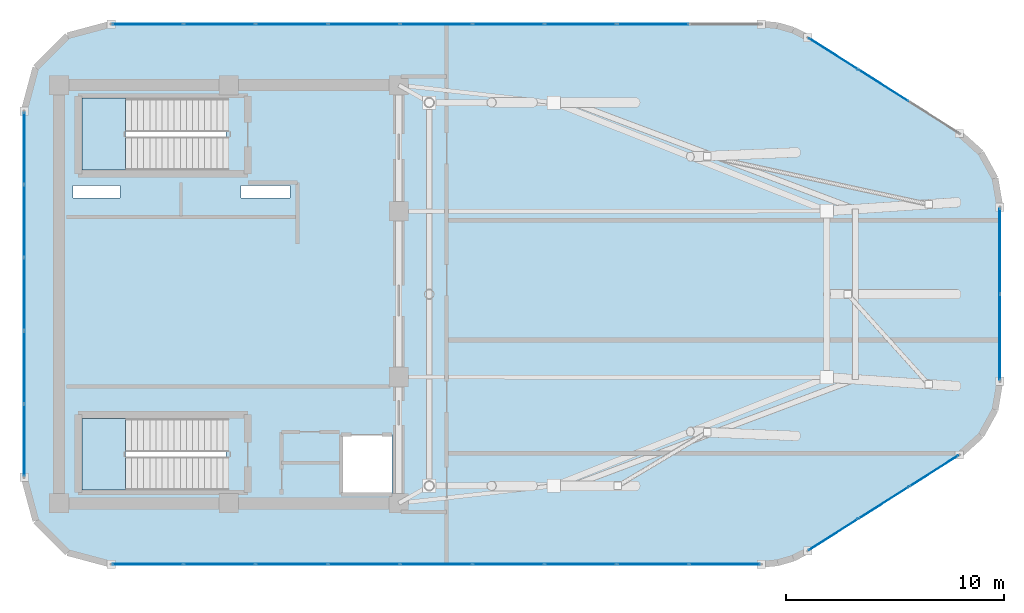
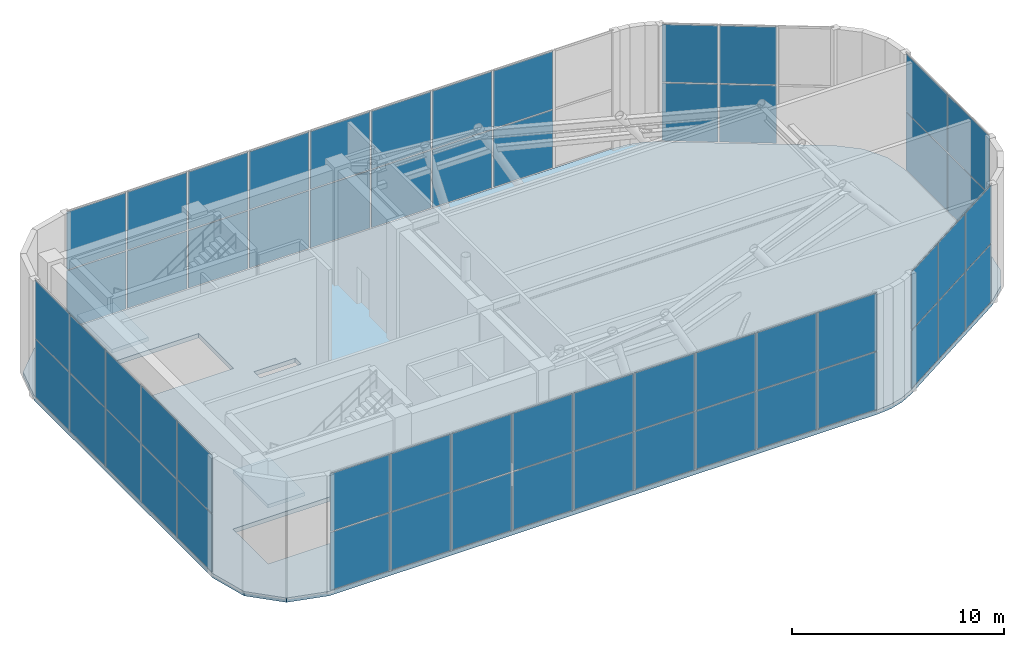
# One storey, part 21 of 24: 58 plates, 3 slabs, 8 elements without a shape of their own.
"""IFC4 building model written with IfcOpenShell, lengths in metres."""

from ifc_helpers import new_model, si_unit, direction, frame, origin, origin_2d, place, context, subcontext, project, spatial, polyline, rectangle, outline, extrude, material, layer, layer_set, type_object, element, aggregate, save


model = new_model("IFC4")

# Units and contexts
model_context = context("Model", 3, precision=1e-05, world=origin(), true_north=direction((0.0, 1.0)))
body_context = subcontext(model_context, "Body", "Model", "MODEL_VIEW")
ifc_project = project(units=[si_unit("LENGTHUNIT", "METRE"), si_unit("AREAUNIT", "SQUARE_METRE"), si_unit("VOLUMEUNIT", "CUBIC_METRE"), si_unit("PLANEANGLEUNIT", "RADIAN"), si_unit("MASSUNIT", "GRAM", prefix="KILO")], contexts=[model_context])

# Site, building, storey
site_placement = place(None, origin())
site = spatial("IfcSite", under=ifc_project, at=site_placement, CompositionType="ELEMENT")
building_placement = place(site_placement, origin())
building = spatial("IfcBuilding", under=site, at=building_placement, Name="An Khanh Terracotta Commons", CompositionType="ELEMENT")
storey_placement = place(building_placement, frame((0.0, 0.0, 315.199951171875)))
storey = spatial("IfcBuildingStorey", under=building, at=storey_placement, Name="L80 Crown Cooling Plant", CompositionType="ELEMENT", Elevation=315.199951171875)

# Curtain wall, plates
ifc_material_1 = material(Name="Anodised Aluminium 6063-T6", Category="aluminium")
ifc_layer_1 = layer(ifc_material_1, 0.18994140625, Name="Anodised Aluminium 6063-T6")
ifc_layer_set_1 = layer_set([ifc_layer_1], Name="Anodised Aluminium 6063-T6")
curtain_wall_type = type_object("IfcCurtainWallType", Name="CW-SYS-06", PredefinedType="USERDEFINED", material=ifc_layer_set_1)
curtain_wall_1_placement = place(storey_placement, origin())
curtain_wall_1 = element("IfcCurtainWall", 1, at=curtain_wall_1_placement, inside=storey, type_object=curtain_wall_type, Name="L80 Crown Cooling Plant CW-06 Unitised Curtain Wall CW-L80-04", ObjectType="UNITISED CURTAIN WALL", PredefinedType="USERDEFINED")
ifc_material_2 = material(Name="Faceted Crown Low-Iron Low-E Glazing", Category="glass")
ifc_layer_2 = layer(ifc_material_2, 0.033935546875, Name="Faceted Crown Low-Iron Low-E Glazing")
ifc_layer_set_2 = layer_set([ifc_layer_2], Name="Faceted Crown Low-Iron Low-E Glazing")
plate_type = type_object("IfcPlateType", Name="CWP-CROWN-34", PredefinedType="CURTAIN_PANEL", material=ifc_layer_set_2)
plate_1_placement = place(storey_placement, frame((25.674072265625, 11.60009765625, 0.06005859375), z_axis=(0.0, 0.0, 1.0), x_axis=(1.0, 0.0, 0.0)))
plate_1 = element("IfcPlate", 2, at=plate_1_placement, type_object=plate_type, Name="CW-06 panel 1.1", PredefinedType="CURTAIN_PANEL", context=body_context, shape_type="SweptSolid", body=[
    extrude(rectangle(XDim=3.21826171875, YDim=0.033935546875, at=origin_2d()), origin(), (0.0, 0.0, 1.0), 3.31005859375),
])
plate_2_placement = place(storey_placement, frame((25.674072265625, 11.60009765625, 3.429931640625), z_axis=(0.0, 0.0, 1.0), x_axis=(1.0, 0.0, 0.0)))
plate_2 = element("IfcPlate", 3, at=plate_2_placement, type_object=plate_type, Name="CW-06 panel 1.2", PredefinedType="CURTAIN_PANEL", context=body_context, shape_type="SweptSolid", body=[
    extrude(rectangle(XDim=3.21826171875, YDim=0.033935546875, at=origin_2d()), origin(), (0.0, 0.0, 1.0), 3.31005859375),
])
plate_3_placement = place(storey_placement, frame((28.973388671875, 11.60009765625, 0.06005859375), z_axis=(0.0, 0.0, 1.0), x_axis=(1.0, 0.0, 0.0)))
plate_3 = element("IfcPlate", 4, at=plate_3_placement, type_object=plate_type, Name="CW-06 panel 2.1", PredefinedType="CURTAIN_PANEL", context=body_context, shape_type="SweptSolid", body=[
    extrude(rectangle(XDim=3.250732421875, YDim=0.033935546875, at=origin_2d()), origin(), (0.0, 0.0, 1.0), 3.31005859375),
])
plate_4_placement = place(storey_placement, frame((28.973388671875, 11.60009765625, 3.429931640625), z_axis=(0.0, 0.0, 1.0), x_axis=(1.0, 0.0, 0.0)))
plate_4 = element("IfcPlate", 5, at=plate_4_placement, type_object=plate_type, Name="CW-06 panel 2.2", PredefinedType="CURTAIN_PANEL", context=body_context, shape_type="SweptSolid", body=[
    extrude(rectangle(XDim=3.250732421875, YDim=0.033935546875, at=origin_2d()), origin(), (0.0, 0.0, 1.0), 3.31005859375),
])
plate_5_placement = place(storey_placement, frame((32.2890625, 11.60009765625, 0.06005859375), z_axis=(0.0, 0.0, 1.0), x_axis=(1.0, 0.0, 0.0)))
plate_5 = element("IfcPlate", 6, at=plate_5_placement, type_object=plate_type, Name="CW-06 panel 3.1", PredefinedType="CURTAIN_PANEL", context=body_context, shape_type="SweptSolid", body=[
    extrude(rectangle(XDim=3.250732421875, YDim=0.033935546875, at=origin_2d()), origin(), (0.0, 0.0, 1.0), 3.31005859375),
])
plate_6_placement = place(storey_placement, frame((32.2890625, 11.60009765625, 3.429931640625), z_axis=(0.0, 0.0, 1.0), x_axis=(1.0, 0.0, 0.0)))
plate_6 = element("IfcPlate", 7, at=plate_6_placement, type_object=plate_type, Name="CW-06 panel 3.2", PredefinedType="CURTAIN_PANEL", context=body_context, shape_type="SweptSolid", body=[
    extrude(rectangle(XDim=3.250732421875, YDim=0.033935546875, at=origin_2d()), origin(), (0.0, 0.0, 1.0), 3.31005859375),
])
plate_7_placement = place(storey_placement, frame((35.604736328125, 11.60009765625, 0.06005859375), z_axis=(0.0, 0.0, 1.0), x_axis=(1.0, 0.0, 0.0)))
plate_7 = element("IfcPlate", 8, at=plate_7_placement, type_object=plate_type, Name="CW-06 panel 4.1", PredefinedType="CURTAIN_PANEL", context=body_context, shape_type="SweptSolid", body=[
    extrude(rectangle(XDim=3.250732421875, YDim=0.033935546875, at=origin_2d()), origin(), (0.0, 0.0, 1.0), 3.31005859375),
])
plate_8_placement = place(storey_placement, frame((35.604736328125, 11.60009765625, 3.429931640625), z_axis=(0.0, 0.0, 1.0), x_axis=(1.0, 0.0, 0.0)))
plate_8 = element("IfcPlate", 9, at=plate_8_placement, type_object=plate_type, Name="CW-06 panel 4.2", PredefinedType="CURTAIN_PANEL", context=body_context, shape_type="SweptSolid", body=[
    extrude(rectangle(XDim=3.250732421875, YDim=0.033935546875, at=origin_2d()), origin(), (0.0, 0.0, 1.0), 3.31005859375),
])
plate_9_placement = place(storey_placement, frame((38.92041015625, 11.60009765625, 0.06005859375), z_axis=(0.0, 0.0, 1.0), x_axis=(1.0, 0.0, 0.0)))
plate_9 = element("IfcPlate", 10, at=plate_9_placement, type_object=plate_type, Name="CW-06 panel 5.1", PredefinedType="CURTAIN_PANEL", context=body_context, shape_type="SweptSolid", body=[
    extrude(rectangle(XDim=3.250732421875, YDim=0.033935546875, at=origin_2d()), origin(), (0.0, 0.0, 1.0), 3.31005859375),
])
plate_10_placement = place(storey_placement, frame((38.92041015625, 11.60009765625, 3.429931640625), z_axis=(0.0, 0.0, 1.0), x_axis=(1.0, 0.0, 0.0)))
plate_10 = element("IfcPlate", 11, at=plate_10_placement, type_object=plate_type, Name="CW-06 panel 5.2", PredefinedType="CURTAIN_PANEL", context=body_context, shape_type="SweptSolid", body=[
    extrude(rectangle(XDim=3.250732421875, YDim=0.033935546875, at=origin_2d()), origin(), (0.0, 0.0, 1.0), 3.31005859375),
])
plate_11_placement = place(storey_placement, frame((42.236083984375, 11.60009765625, 0.06005859375), z_axis=(0.0, 0.0, 1.0), x_axis=(1.0, 0.0, 0.0)))
plate_11 = element("IfcPlate", 12, at=plate_11_placement, type_object=plate_type, Name="CW-06 panel 6.1", PredefinedType="CURTAIN_PANEL", context=body_context, shape_type="SweptSolid", body=[
    extrude(rectangle(XDim=3.250732421875, YDim=0.033935546875, at=origin_2d()), origin(), (0.0, 0.0, 1.0), 3.31005859375),
])
plate_12_placement = place(storey_placement, frame((42.236083984375, 11.60009765625, 3.429931640625), z_axis=(0.0, 0.0, 1.0), x_axis=(1.0, 0.0, 0.0)))
plate_12 = element("IfcPlate", 13, at=plate_12_placement, type_object=plate_type, Name="CW-06 panel 6.2", PredefinedType="CURTAIN_PANEL", context=body_context, shape_type="SweptSolid", body=[
    extrude(rectangle(XDim=3.250732421875, YDim=0.033935546875, at=origin_2d()), origin(), (0.0, 0.0, 1.0), 3.31005859375),
])
plate_13_placement = place(storey_placement, frame((45.5517578125, 11.60009765625, 0.06005859375), z_axis=(0.0, 0.0, 1.0), x_axis=(1.0, 0.0, 0.0)))
plate_13 = element("IfcPlate", 14, at=plate_13_placement, type_object=plate_type, Name="CW-06 panel 7.1", PredefinedType="CURTAIN_PANEL", context=body_context, shape_type="SweptSolid", body=[
    extrude(rectangle(XDim=3.250732421875, YDim=0.033935546875, at=origin_2d()), origin(), (0.0, 0.0, 1.0), 3.31005859375),
])
plate_14_placement = place(storey_placement, frame((45.5517578125, 11.60009765625, 3.429931640625), z_axis=(0.0, 0.0, 1.0), x_axis=(1.0, 0.0, 0.0)))
plate_14 = element("IfcPlate", 15, at=plate_14_placement, type_object=plate_type, Name="CW-06 panel 7.2", PredefinedType="CURTAIN_PANEL", context=body_context, shape_type="SweptSolid", body=[
    extrude(rectangle(XDim=3.250732421875, YDim=0.033935546875, at=origin_2d()), origin(), (0.0, 0.0, 1.0), 3.31005859375),
])
plate_15_placement = place(storey_placement, frame((48.867431640625, 11.60009765625, 0.06005859375), z_axis=(0.0, 0.0, 1.0), x_axis=(1.0, 0.0, 0.0)))
plate_15 = element("IfcPlate", 16, at=plate_15_placement, type_object=plate_type, Name="CW-06 panel 8.1", PredefinedType="CURTAIN_PANEL", context=body_context, shape_type="SweptSolid", body=[
    extrude(rectangle(XDim=3.250732421875, YDim=0.033935546875, at=origin_2d()), origin(), (0.0, 0.0, 1.0), 3.31005859375),
])
plate_16_placement = place(storey_placement, frame((48.867431640625, 11.60009765625, 3.429931640625), z_axis=(0.0, 0.0, 1.0), x_axis=(1.0, 0.0, 0.0)))
plate_16 = element("IfcPlate", 17, at=plate_16_placement, type_object=plate_type, Name="CW-06 panel 8.2", PredefinedType="CURTAIN_PANEL", context=body_context, shape_type="SweptSolid", body=[
    extrude(rectangle(XDim=3.250732421875, YDim=0.033935546875, at=origin_2d()), origin(), (0.0, 0.0, 1.0), 3.31005859375),
])
plate_17_placement = place(storey_placement, frame((52.1669921875, 11.60009765625, 0.06005859375), z_axis=(0.0, 0.0, 1.0), x_axis=(1.0, 0.0, 0.0)))
plate_17 = element("IfcPlate", 18, at=plate_17_placement, type_object=plate_type, Name="CW-06 panel 9.1", PredefinedType="CURTAIN_PANEL", context=body_context, shape_type="SweptSolid", body=[
    extrude(rectangle(XDim=3.21826171875, YDim=0.033935546875, at=origin_2d()), origin(), (0.0, 0.0, 1.0), 3.31005859375),
])
plate_18_placement = place(storey_placement, frame((52.1669921875, 11.60009765625, 3.429931640625), z_axis=(0.0, 0.0, 1.0), x_axis=(1.0, 0.0, 0.0)))
plate_18 = element("IfcPlate", 19, at=plate_18_placement, type_object=plate_type, Name="CW-06 panel 9.2", PredefinedType="CURTAIN_PANEL", context=body_context, shape_type="SweptSolid", body=[
    extrude(rectangle(XDim=3.21826171875, YDim=0.033935546875, at=origin_2d()), origin(), (0.0, 0.0, 1.0), 3.31005859375),
])
aggregate(curtain_wall_1, [plate_1, plate_2, plate_3, plate_4, plate_5, plate_6, plate_7, plate_8, plate_9, plate_10, plate_11, plate_12, plate_13, plate_14, plate_15, plate_16, plate_17, plate_18])

curtain_wall_2_placement = place(storey_placement, origin())
curtain_wall_2 = element("IfcCurtainWall", 20, at=curtain_wall_2_placement, inside=storey, type_object=curtain_wall_type, Name="L80 Crown Cooling Plant CW-06 Unitised Curtain Wall CW-L80-08", ObjectType="UNITISED CURTAIN WALL", PredefinedType="USERDEFINED")
plate_19_placement = place(storey_placement, frame((57.153564453125, 12.96240234375, 0.06005859375), z_axis=(0.0, 0.0, 1.0), x_axis=(0.845113547412, 0.53458684232, 0.0)))
plate_19 = element("IfcPlate", 21, at=plate_19_placement, type_object=plate_type, Name="CW-06 panel 1.1", PredefinedType="CURTAIN_PANEL", context=body_context, shape_type="SweptSolid", body=[
    extrude(rectangle(XDim=2.647216796875, YDim=0.033935546875, at=origin_2d()), origin(), (0.0, 0.0, 1.0), 3.31005859375),
])
plate_20_placement = place(storey_placement, frame((57.153564453125, 12.96240234375, 3.429931640625), z_axis=(0.0, 0.0, 1.0), x_axis=(0.845113547412, 0.53458684232, 0.0)))
plate_20 = element("IfcPlate", 22, at=plate_20_placement, type_object=plate_type, Name="CW-06 panel 1.2", PredefinedType="CURTAIN_PANEL", context=body_context, shape_type="SweptSolid", body=[
    extrude(rectangle(XDim=2.647216796875, YDim=0.033935546875, at=origin_2d()), origin(), (0.0, 0.0, 1.0), 3.31005859375),
])
plate_21_placement = place(storey_placement, frame((59.45947265625, 14.4208984375, 0.06005859375), z_axis=(0.0, 0.0, 1.0), x_axis=(0.845113547412, 0.53458684232, 0.0)))
plate_21 = element("IfcPlate", 23, at=plate_21_placement, type_object=plate_type, Name="CW-06 panel 2.1", PredefinedType="CURTAIN_PANEL", context=body_context, shape_type="SweptSolid", body=[
    extrude(rectangle(XDim=2.6796875, YDim=0.033935546875, at=origin_2d()), origin(), (0.0, 0.0, 1.0), 3.31005859375),
])
plate_22_placement = place(storey_placement, frame((59.45947265625, 14.4208984375, 3.429931640625), z_axis=(0.0, 0.0, 1.0), x_axis=(0.845113547412, 0.53458684232, 0.0)))
plate_22 = element("IfcPlate", 24, at=plate_22_placement, type_object=plate_type, Name="CW-06 panel 2.2", PredefinedType="CURTAIN_PANEL", context=body_context, shape_type="SweptSolid", body=[
    extrude(rectangle(XDim=2.6796875, YDim=0.033935546875, at=origin_2d()), origin(), (0.0, 0.0, 1.0), 3.31005859375),
])
plate_23_placement = place(storey_placement, frame((61.765380859375, 15.879638671875, 0.06005859375), z_axis=(0.0, 0.0, 1.0), x_axis=(0.845113547412, 0.53458684232, 0.0)))
plate_23 = element("IfcPlate", 25, at=plate_23_placement, type_object=plate_type, Name="CW-06 panel 3.1", PredefinedType="CURTAIN_PANEL", context=body_context, shape_type="SweptSolid", body=[
    extrude(rectangle(XDim=2.647216796875, YDim=0.033935546875, at=origin_2d()), origin(), (0.0, 0.0, 1.0), 3.31005859375),
])
plate_24_placement = place(storey_placement, frame((61.765380859375, 15.879638671875, 3.429931640625), z_axis=(0.0, 0.0, 1.0), x_axis=(0.845113547412, 0.53458684232, 0.0)))
plate_24 = element("IfcPlate", 26, at=plate_24_placement, type_object=plate_type, Name="CW-06 panel 3.2", PredefinedType="CURTAIN_PANEL", context=body_context, shape_type="SweptSolid", body=[
    extrude(rectangle(XDim=2.647216796875, YDim=0.033935546875, at=origin_2d()), origin(), (0.0, 0.0, 1.0), 3.31005859375),
])
aggregate(curtain_wall_2, [plate_19, plate_20, plate_21, plate_22, plate_23, plate_24])

curtain_wall_3_placement = place(storey_placement, origin())
curtain_wall_3 = element("IfcCurtainWall", 27, at=curtain_wall_3_placement, inside=storey, type_object=curtain_wall_type, Name="L80 Crown Cooling Plant CW-06 Unitised Curtain Wall CW-L80-12", ObjectType="UNITISED CURTAIN WALL", PredefinedType="USERDEFINED")
plate_25_placement = place(storey_placement, frame((64.800048828125, 22.017822265625, 0.06005859375), z_axis=(0.0, 0.0, 1.0), x_axis=(0.0, 1.0, 0.0)))
plate_25 = element("IfcPlate", 28, at=plate_25_placement, type_object=plate_type, Name="CW-06 panel 1.1", PredefinedType="CURTAIN_PANEL", context=body_context, shape_type="SweptSolid", body=[
    extrude(rectangle(XDim=3.8994140625, YDim=0.033935546875, at=origin_2d()), origin(), (0.0, 0.0, 1.0), 3.31005859375),
])
plate_26_placement = place(storey_placement, frame((64.800048828125, 22.017822265625, 3.429931640625), z_axis=(0.0, 0.0, 1.0), x_axis=(0.0, 1.0, 0.0)))
plate_26 = element("IfcPlate", 29, at=plate_26_placement, type_object=plate_type, Name="CW-06 panel 1.2", PredefinedType="CURTAIN_PANEL", context=body_context, shape_type="SweptSolid", body=[
    extrude(rectangle(XDim=3.8994140625, YDim=0.033935546875, at=origin_2d()), origin(), (0.0, 0.0, 1.0), 3.31005859375),
])
plate_27_placement = place(storey_placement, frame((64.800048828125, 25.982177734375, 0.06005859375), z_axis=(0.0, 0.0, 1.0), x_axis=(0.0, 1.0, 0.0)))
plate_27 = element("IfcPlate", 30, at=plate_27_placement, type_object=plate_type, Name="CW-06 panel 2.1", PredefinedType="CURTAIN_PANEL", context=body_context, shape_type="SweptSolid", body=[
    extrude(rectangle(XDim=3.8994140625, YDim=0.033935546875, at=origin_2d()), origin(), (0.0, 0.0, 1.0), 3.31005859375),
])
plate_28_placement = place(storey_placement, frame((64.800048828125, 25.982177734375, 3.429931640625), z_axis=(0.0, 0.0, 1.0), x_axis=(0.0, 1.0, 0.0)))
plate_28 = element("IfcPlate", 31, at=plate_28_placement, type_object=plate_type, Name="CW-06 panel 2.2", PredefinedType="CURTAIN_PANEL", context=body_context, shape_type="SweptSolid", body=[
    extrude(rectangle(XDim=3.8994140625, YDim=0.033935546875, at=origin_2d()), origin(), (0.0, 0.0, 1.0), 3.31005859375),
])
aggregate(curtain_wall_3, [plate_25, plate_26, plate_27, plate_28])

curtain_wall_4_placement = place(storey_placement, origin())
curtain_wall_4 = element("IfcCurtainWall", 32, at=curtain_wall_4_placement, inside=storey, type_object=curtain_wall_type, Name="L80 Crown Cooling Plant CW-06 Unitised Curtain Wall CW-L80-16", ObjectType="UNITISED CURTAIN WALL", PredefinedType="USERDEFINED")
plate_29_placement = place(storey_placement, frame((59.45947265625, 33.5791015625, 0.06005859375), z_axis=(0.0, 0.0, 1.0), x_axis=(-0.845113547412, 0.53458684232, 0.0)))
plate_29 = element("IfcPlate", 33, at=plate_29_placement, type_object=plate_type, Name="CW-06 panel 2.1", PredefinedType="CURTAIN_PANEL", context=body_context, shape_type="SweptSolid", body=[
    extrude(rectangle(XDim=2.6796875, YDim=0.033935546875, at=origin_2d()), origin(), (0.0, 0.0, 1.0), 3.31005859375),
])
plate_30_placement = place(storey_placement, frame((59.45947265625, 33.5791015625, 3.429931640625), z_axis=(0.0, 0.0, 1.0), x_axis=(-0.845113547412, 0.53458684232, 0.0)))
plate_30 = element("IfcPlate", 34, at=plate_30_placement, type_object=plate_type, Name="CW-06 panel 2.2", PredefinedType="CURTAIN_PANEL", context=body_context, shape_type="SweptSolid", body=[
    extrude(rectangle(XDim=2.6796875, YDim=0.033935546875, at=origin_2d()), origin(), (0.0, 0.0, 1.0), 3.31005859375),
])
plate_31_placement = place(storey_placement, frame((57.153564453125, 35.03759765625, 0.06005859375), z_axis=(0.0, 0.0, 1.0), x_axis=(-0.845113547412, 0.53458684232, 0.0)))
plate_31 = element("IfcPlate", 35, at=plate_31_placement, type_object=plate_type, Name="CW-06 panel 3.1", PredefinedType="CURTAIN_PANEL", context=body_context, shape_type="SweptSolid", body=[
    extrude(rectangle(XDim=2.647216796875, YDim=0.033935546875, at=origin_2d()), origin(), (0.0, 0.0, 1.0), 3.31005859375),
])
plate_32_placement = place(storey_placement, frame((57.153564453125, 35.03759765625, 3.429931640625), z_axis=(0.0, 0.0, 1.0), x_axis=(-0.845113547412, 0.53458684232, 0.0)))
plate_32 = element("IfcPlate", 36, at=plate_32_placement, type_object=plate_type, Name="CW-06 panel 3.2", PredefinedType="CURTAIN_PANEL", context=body_context, shape_type="SweptSolid", body=[
    extrude(rectangle(XDim=2.647216796875, YDim=0.033935546875, at=origin_2d()), origin(), (0.0, 0.0, 1.0), 3.31005859375),
])
aggregate(curtain_wall_4, [plate_29, plate_30, plate_31, plate_32])

curtain_wall_5_placement = place(storey_placement, origin())
curtain_wall_5 = element("IfcCurtainWall", 37, at=curtain_wall_5_placement, inside=storey, type_object=curtain_wall_type, Name="L80 Crown Cooling Plant CW-06 Unitised Curtain Wall CW-L80-20", ObjectType="UNITISED CURTAIN WALL", PredefinedType="USERDEFINED")
plate_33_placement = place(storey_placement, frame((48.867431640625, 36.39990234375, 0.06005859375), z_axis=(0.0, 0.0, 1.0), x_axis=(-1.0, 0.0, 0.0)))
plate_33 = element("IfcPlate", 38, at=plate_33_placement, type_object=plate_type, Name="CW-06 panel 2.1", PredefinedType="CURTAIN_PANEL", context=body_context, shape_type="SweptSolid", body=[
    extrude(rectangle(XDim=3.250732421875, YDim=0.033935546875, at=origin_2d()), origin(), (0.0, 0.0, 1.0), 3.31005859375),
])
plate_34_placement = place(storey_placement, frame((48.867431640625, 36.39990234375, 3.429931640625), z_axis=(0.0, 0.0, 1.0), x_axis=(-1.0, 0.0, 0.0)))
plate_34 = element("IfcPlate", 39, at=plate_34_placement, type_object=plate_type, Name="CW-06 panel 2.2", PredefinedType="CURTAIN_PANEL", context=body_context, shape_type="SweptSolid", body=[
    extrude(rectangle(XDim=3.250732421875, YDim=0.033935546875, at=origin_2d()), origin(), (0.0, 0.0, 1.0), 3.31005859375),
])
plate_35_placement = place(storey_placement, frame((45.5517578125, 36.39990234375, 0.06005859375), z_axis=(0.0, 0.0, 1.0), x_axis=(-1.0, 0.0, 0.0)))
plate_35 = element("IfcPlate", 40, at=plate_35_placement, type_object=plate_type, Name="CW-06 panel 3.1", PredefinedType="CURTAIN_PANEL", context=body_context, shape_type="SweptSolid", body=[
    extrude(rectangle(XDim=3.250732421875, YDim=0.033935546875, at=origin_2d()), origin(), (0.0, 0.0, 1.0), 3.31005859375),
])
plate_36_placement = place(storey_placement, frame((45.5517578125, 36.39990234375, 3.429931640625), z_axis=(0.0, 0.0, 1.0), x_axis=(-1.0, 0.0, 0.0)))
plate_36 = element("IfcPlate", 41, at=plate_36_placement, type_object=plate_type, Name="CW-06 panel 3.2", PredefinedType="CURTAIN_PANEL", context=body_context, shape_type="SweptSolid", body=[
    extrude(rectangle(XDim=3.250732421875, YDim=0.033935546875, at=origin_2d()), origin(), (0.0, 0.0, 1.0), 3.31005859375),
])
plate_37_placement = place(storey_placement, frame((42.236083984375, 36.39990234375, 0.06005859375), z_axis=(0.0, 0.0, 1.0), x_axis=(-1.0, 0.0, 0.0)))
plate_37 = element("IfcPlate", 42, at=plate_37_placement, type_object=plate_type, Name="CW-06 panel 4.1", PredefinedType="CURTAIN_PANEL", context=body_context, shape_type="SweptSolid", body=[
    extrude(rectangle(XDim=3.250732421875, YDim=0.033935546875, at=origin_2d()), origin(), (0.0, 0.0, 1.0), 3.31005859375),
])
plate_38_placement = place(storey_placement, frame((42.236083984375, 36.39990234375, 3.429931640625), z_axis=(0.0, 0.0, 1.0), x_axis=(-1.0, 0.0, 0.0)))
plate_38 = element("IfcPlate", 43, at=plate_38_placement, type_object=plate_type, Name="CW-06 panel 4.2", PredefinedType="CURTAIN_PANEL", context=body_context, shape_type="SweptSolid", body=[
    extrude(rectangle(XDim=3.250732421875, YDim=0.033935546875, at=origin_2d()), origin(), (0.0, 0.0, 1.0), 3.31005859375),
])
plate_39_placement = place(storey_placement, frame((38.92041015625, 36.39990234375, 0.06005859375), z_axis=(0.0, 0.0, 1.0), x_axis=(-1.0, 0.0, 0.0)))
plate_39 = element("IfcPlate", 44, at=plate_39_placement, type_object=plate_type, Name="CW-06 panel 5.1", PredefinedType="CURTAIN_PANEL", context=body_context, shape_type="SweptSolid", body=[
    extrude(rectangle(XDim=3.250732421875, YDim=0.033935546875, at=origin_2d()), origin(), (0.0, 0.0, 1.0), 3.31005859375),
])
plate_40_placement = place(storey_placement, frame((38.92041015625, 36.39990234375, 3.429931640625), z_axis=(0.0, 0.0, 1.0), x_axis=(-1.0, 0.0, 0.0)))
plate_40 = element("IfcPlate", 45, at=plate_40_placement, type_object=plate_type, Name="CW-06 panel 5.2", PredefinedType="CURTAIN_PANEL", context=body_context, shape_type="SweptSolid", body=[
    extrude(rectangle(XDim=3.250732421875, YDim=0.033935546875, at=origin_2d()), origin(), (0.0, 0.0, 1.0), 3.31005859375),
])
plate_41_placement = place(storey_placement, frame((35.604736328125, 36.39990234375, 0.06005859375), z_axis=(0.0, 0.0, 1.0), x_axis=(-1.0, 0.0, 0.0)))
plate_41 = element("IfcPlate", 46, at=plate_41_placement, type_object=plate_type, Name="CW-06 panel 6.1", PredefinedType="CURTAIN_PANEL", context=body_context, shape_type="SweptSolid", body=[
    extrude(rectangle(XDim=3.250732421875, YDim=0.033935546875, at=origin_2d()), origin(), (0.0, 0.0, 1.0), 3.31005859375),
])
plate_42_placement = place(storey_placement, frame((35.604736328125, 36.39990234375, 3.429931640625), z_axis=(0.0, 0.0, 1.0), x_axis=(-1.0, 0.0, 0.0)))
plate_42 = element("IfcPlate", 47, at=plate_42_placement, type_object=plate_type, Name="CW-06 panel 6.2", PredefinedType="CURTAIN_PANEL", context=body_context, shape_type="SweptSolid", body=[
    extrude(rectangle(XDim=3.250732421875, YDim=0.033935546875, at=origin_2d()), origin(), (0.0, 0.0, 1.0), 3.31005859375),
])
plate_43_placement = place(storey_placement, frame((32.2890625, 36.39990234375, 0.06005859375), z_axis=(0.0, 0.0, 1.0), x_axis=(-1.0, 0.0, 0.0)))
plate_43 = element("IfcPlate", 48, at=plate_43_placement, type_object=plate_type, Name="CW-06 panel 7.1", PredefinedType="CURTAIN_PANEL", context=body_context, shape_type="SweptSolid", body=[
    extrude(rectangle(XDim=3.250732421875, YDim=0.033935546875, at=origin_2d()), origin(), (0.0, 0.0, 1.0), 3.31005859375),
])
plate_44_placement = place(storey_placement, frame((32.2890625, 36.39990234375, 3.429931640625), z_axis=(0.0, 0.0, 1.0), x_axis=(-1.0, 0.0, 0.0)))
plate_44 = element("IfcPlate", 49, at=plate_44_placement, type_object=plate_type, Name="CW-06 panel 7.2", PredefinedType="CURTAIN_PANEL", context=body_context, shape_type="SweptSolid", body=[
    extrude(rectangle(XDim=3.250732421875, YDim=0.033935546875, at=origin_2d()), origin(), (0.0, 0.0, 1.0), 3.31005859375),
])
plate_45_placement = place(storey_placement, frame((28.973388671875, 36.39990234375, 0.06005859375), z_axis=(0.0, 0.0, 1.0), x_axis=(-1.0, 0.0, 0.0)))
plate_45 = element("IfcPlate", 50, at=plate_45_placement, type_object=plate_type, Name="CW-06 panel 8.1", PredefinedType="CURTAIN_PANEL", context=body_context, shape_type="SweptSolid", body=[
    extrude(rectangle(XDim=3.250732421875, YDim=0.033935546875, at=origin_2d()), origin(), (0.0, 0.0, 1.0), 3.31005859375),
])
plate_46_placement = place(storey_placement, frame((28.973388671875, 36.39990234375, 3.429931640625), z_axis=(0.0, 0.0, 1.0), x_axis=(-1.0, 0.0, 0.0)))
plate_46 = element("IfcPlate", 51, at=plate_46_placement, type_object=plate_type, Name="CW-06 panel 8.2", PredefinedType="CURTAIN_PANEL", context=body_context, shape_type="SweptSolid", body=[
    extrude(rectangle(XDim=3.250732421875, YDim=0.033935546875, at=origin_2d()), origin(), (0.0, 0.0, 1.0), 3.31005859375),
])
plate_47_placement = place(storey_placement, frame((25.674072265625, 36.39990234375, 0.06005859375), z_axis=(0.0, 0.0, 1.0), x_axis=(-1.0, 0.0, 0.0)))
plate_47 = element("IfcPlate", 52, at=plate_47_placement, type_object=plate_type, Name="CW-06 panel 9.1", PredefinedType="CURTAIN_PANEL", context=body_context, shape_type="SweptSolid", body=[
    extrude(rectangle(XDim=3.21826171875, YDim=0.033935546875, at=origin_2d()), origin(), (0.0, 0.0, 1.0), 3.31005859375),
])
plate_48_placement = place(storey_placement, frame((25.674072265625, 36.39990234375, 3.429931640625), z_axis=(0.0, 0.0, 1.0), x_axis=(-1.0, 0.0, 0.0)))
plate_48 = element("IfcPlate", 53, at=plate_48_placement, type_object=plate_type, Name="CW-06 panel 9.2", PredefinedType="CURTAIN_PANEL", context=body_context, shape_type="SweptSolid", body=[
    extrude(rectangle(XDim=3.21826171875, YDim=0.033935546875, at=origin_2d()), origin(), (0.0, 0.0, 1.0), 3.31005859375),
])
aggregate(curtain_wall_5, [plate_33, plate_34, plate_35, plate_36, plate_37, plate_38, plate_39, plate_40, plate_41, plate_42, plate_43, plate_44, plate_45, plate_46, plate_47, plate_48])

curtain_wall_6_placement = place(storey_placement, origin())
curtain_wall_6 = element("IfcCurtainWall", 54, at=curtain_wall_6_placement, inside=storey, type_object=curtain_wall_type, Name="L80 Crown Cooling Plant CW-06 Unitised Curtain Wall CW-L80-24", ObjectType="UNITISED CURTAIN WALL", PredefinedType="USERDEFINED")
plate_49_placement = place(storey_placement, frame((20.0, 30.703857421875, 0.06005859375), z_axis=(0.0, 0.0, 1.0), x_axis=(0.0, -1.0, 0.0)))
plate_49 = element("IfcPlate", 55, at=plate_49_placement, type_object=plate_type, Name="CW-06 panel 1.1", PredefinedType="CURTAIN_PANEL", context=body_context, shape_type="SweptSolid", body=[
    extrude(rectangle(XDim=3.262451171875, YDim=0.033935546875, at=origin_2d()), origin(), (0.0, 0.0, 1.0), 3.31005859375),
])
plate_50_placement = place(storey_placement, frame((20.0, 30.703857421875, 3.429931640625), z_axis=(0.0, 0.0, 1.0), x_axis=(0.0, -1.0, 0.0)))
plate_50 = element("IfcPlate", 56, at=plate_50_placement, type_object=plate_type, Name="CW-06 panel 1.2", PredefinedType="CURTAIN_PANEL", context=body_context, shape_type="SweptSolid", body=[
    extrude(rectangle(XDim=3.262451171875, YDim=0.033935546875, at=origin_2d()), origin(), (0.0, 0.0, 1.0), 3.31005859375),
])
plate_51_placement = place(storey_placement, frame((20.0, 27.360107421875, 0.06005859375), z_axis=(0.0, 0.0, 1.0), x_axis=(0.0, -1.0, 0.0)))
plate_51 = element("IfcPlate", 57, at=plate_51_placement, type_object=plate_type, Name="CW-06 panel 2.1", PredefinedType="CURTAIN_PANEL", context=body_context, shape_type="SweptSolid", body=[
    extrude(rectangle(XDim=3.294921875, YDim=0.033935546875, at=origin_2d()), origin(), (0.0, 0.0, 1.0), 3.31005859375),
])
plate_52_placement = place(storey_placement, frame((20.0, 27.360107421875, 3.429931640625), z_axis=(0.0, 0.0, 1.0), x_axis=(0.0, -1.0, 0.0)))
plate_52 = element("IfcPlate", 58, at=plate_52_placement, type_object=plate_type, Name="CW-06 panel 2.2", PredefinedType="CURTAIN_PANEL", context=body_context, shape_type="SweptSolid", body=[
    extrude(rectangle(XDim=3.294921875, YDim=0.033935546875, at=origin_2d()), origin(), (0.0, 0.0, 1.0), 3.31005859375),
])
plate_53_placement = place(storey_placement, frame((20.0, 24.0, 0.06005859375), z_axis=(0.0, 0.0, 1.0), x_axis=(0.0, -1.0, 0.0)))
plate_53 = element("IfcPlate", 59, at=plate_53_placement, type_object=plate_type, Name="CW-06 panel 3.1", PredefinedType="CURTAIN_PANEL", context=body_context, shape_type="SweptSolid", body=[
    extrude(rectangle(XDim=3.294921875, YDim=0.033935546875, at=origin_2d()), origin(), (0.0, 0.0, 1.0), 3.31005859375),
])
plate_54_placement = place(storey_placement, frame((20.0, 24.0, 3.429931640625), z_axis=(0.0, 0.0, 1.0), x_axis=(0.0, -1.0, 0.0)))
plate_54 = element("IfcPlate", 60, at=plate_54_placement, type_object=plate_type, Name="CW-06 panel 3.2", PredefinedType="CURTAIN_PANEL", context=body_context, shape_type="SweptSolid", body=[
    extrude(rectangle(XDim=3.294921875, YDim=0.033935546875, at=origin_2d()), origin(), (0.0, 0.0, 1.0), 3.31005859375),
])
plate_55_placement = place(storey_placement, frame((20.0, 20.639892578125, 0.06005859375), z_axis=(0.0, 0.0, 1.0), x_axis=(0.0, -1.0, 0.0)))
plate_55 = element("IfcPlate", 61, at=plate_55_placement, type_object=plate_type, Name="CW-06 panel 4.1", PredefinedType="CURTAIN_PANEL", context=body_context, shape_type="SweptSolid", body=[
    extrude(rectangle(XDim=3.294921875, YDim=0.033935546875, at=origin_2d()), origin(), (0.0, 0.0, 1.0), 3.31005859375),
])
plate_56_placement = place(storey_placement, frame((20.0, 20.639892578125, 3.429931640625), z_axis=(0.0, 0.0, 1.0), x_axis=(0.0, -1.0, 0.0)))
plate_56 = element("IfcPlate", 62, at=plate_56_placement, type_object=plate_type, Name="CW-06 panel 4.2", PredefinedType="CURTAIN_PANEL", context=body_context, shape_type="SweptSolid", body=[
    extrude(rectangle(XDim=3.294921875, YDim=0.033935546875, at=origin_2d()), origin(), (0.0, 0.0, 1.0), 3.31005859375),
])
plate_57_placement = place(storey_placement, frame((20.0, 17.296142578125, 0.06005859375), z_axis=(0.0, 0.0, 1.0), x_axis=(0.0, -1.0, 0.0)))
plate_57 = element("IfcPlate", 63, at=plate_57_placement, type_object=plate_type, Name="CW-06 panel 5.1", PredefinedType="CURTAIN_PANEL", context=body_context, shape_type="SweptSolid", body=[
    extrude(rectangle(XDim=3.262451171875, YDim=0.033935546875, at=origin_2d()), origin(), (0.0, 0.0, 1.0), 3.31005859375),
])
plate_58_placement = place(storey_placement, frame((20.0, 17.296142578125, 3.429931640625), z_axis=(0.0, 0.0, 1.0), x_axis=(0.0, -1.0, 0.0)))
plate_58 = element("IfcPlate", 64, at=plate_58_placement, type_object=plate_type, Name="CW-06 panel 5.2", PredefinedType="CURTAIN_PANEL", context=body_context, shape_type="SweptSolid", body=[
    extrude(rectangle(XDim=3.262451171875, YDim=0.033935546875, at=origin_2d()), origin(), (0.0, 0.0, 1.0), 3.31005859375),
])
aggregate(curtain_wall_6, [plate_49, plate_50, plate_51, plate_52, plate_53, plate_54, plate_55, plate_56, plate_57, plate_58])

# Slab
ifc_material_3 = material(Name="Concrete C40/50", Category="concrete")
ifc_layer_3 = layer(ifc_material_3, 0.25, Name="Concrete C40/50")
ifc_layer_set_3 = layer_set([ifc_layer_3], Name="Concrete C40/50")
slab_type_1 = type_object("IfcSlabType", Name="SLAB-B01-250", PredefinedType="FLOOR", material=ifc_layer_set_3)
slab_1_placement = place(storey_placement, frame((0.0, 0.0, -0.25)))
element("IfcSlab", 65, at=slab_1_placement, inside=storey, type_object=slab_type_1, Name="L80 Crown Cooling Plant Structural Floor Slab", PredefinedType="FLOOR", context=body_context, shape_type="SweptSolid", body=[
    extrude(outline(polyline([(20.0, 15.60009765625), (20.535888671875, 13.60009765625), (22.0, 12.135986328125), (24.0, 11.60009765625), (53.841064453125, 11.60009765625), (54.589111328125, 11.6708984375), (55.31005859375, 11.8798828125), (55.97998046875, 12.219970703125), (62.93896484375, 16.6220703125), (63.931884765625, 17.514892578125), (64.576904296875, 18.68505859375), (64.800048828125, 20.0029296875), (64.800048828125, 27.9970703125), (64.576904296875, 29.31494140625), (63.931884765625, 30.485107421875), (62.93896484375, 31.3779296875), (55.97998046875, 35.780029296875), (55.31005859375, 36.1201171875), (54.589111328125, 36.3291015625), (53.841064453125, 36.39990234375), (24.0, 36.39990234375), (22.0, 35.864013671875), (20.535888671875, 34.39990234375), (20.0, 32.39990234375), (20.0, 15.60009765625)]), holes=[polyline([(22.64990234375, 29.699951171875), (29.27001953125, 29.699951171875), (29.27001953125, 33.0), (22.64990234375, 33.0), (22.64990234375, 29.699951171875)]), polyline([(22.64990234375, 15.0), (29.27001953125, 15.0), (29.27001953125, 18.300048828125), (22.64990234375, 18.300048828125), (22.64990234375, 15.0)]), polyline([(34.550048828125, 14.800048828125), (36.89990234375, 14.800048828125), (36.89990234375, 17.550048828125), (34.550048828125, 17.550048828125), (34.550048828125, 14.800048828125)]), polyline([(22.25, 28.419921875), (24.39990234375, 28.419921875), (24.39990234375, 28.97998046875), (22.25, 28.97998046875), (22.25, 28.419921875)]), polyline([(29.949951171875, 28.419921875), (32.199951171875, 28.419921875), (32.199951171875, 28.97998046875), (29.949951171875, 28.97998046875), (29.949951171875, 28.419921875)])]), origin(), (0.0, 0.0, 1.0), 0.25),
])

# Stair, slab
ifc_material_4 = material(Name="Precast concrete C40/50", Category="concrete")
stair_type = type_object("IfcStairType", Name="STAIR-CORE-1550", PredefinedType="HALF_TURN_STAIR", material=ifc_material_4)
stair_1_placement = place(storey_placement, origin())
stair_1 = element("IfcStair", 66, at=stair_1_placement, inside=storey, type_object=stair_type, Name="L80 Crown Cooling Plant Core Smokeproof Exit Stair ST-01", PredefinedType="HALF_TURN_STAIR")
ifc_layer_4 = layer(ifc_material_3, 0.18994140625, Name="Concrete C40/50")
ifc_layer_set_4 = layer_set([ifc_layer_4], Name="Concrete C40/50")
slab_type_2 = type_object("IfcSlabType", Name="SLAB-LANDING-190", PredefinedType="LANDING", material=ifc_layer_set_4)
slab_2_placement = place(storey_placement, frame((0.0, 0.0, 3.199951171875)))
slab_2 = element("IfcSlab", 67, at=slab_2_placement, type_object=slab_type_2, Name="ST-01 landing 1", PredefinedType="LANDING", context=body_context, shape_type="SweptSolid", body=[
    extrude(outline(polyline([(24.64990234375, 33.0), (22.64990234375, 33.0), (22.64990234375, 29.699951171875), (24.64990234375, 29.699951171875), (24.64990234375, 33.0)])), origin(), (0.0, 0.0, 1.0), 0.2001953125),
])
aggregate(stair_1, [slab_2])

stair_2_placement = place(storey_placement, origin())
stair_2 = element("IfcStair", 68, at=stair_2_placement, inside=storey, type_object=stair_type, Name="L80 Crown Cooling Plant Core Smokeproof Exit Stair ST-02", PredefinedType="HALF_TURN_STAIR")
slab_3_placement = place(storey_placement, frame((0.0, 0.0, 3.199951171875)))
slab_3 = element("IfcSlab", 69, at=slab_3_placement, type_object=slab_type_2, Name="ST-02 landing 1", PredefinedType="LANDING", context=body_context, shape_type="SweptSolid", body=[
    extrude(outline(polyline([(24.64990234375, 18.300048828125), (22.64990234375, 18.300048828125), (22.64990234375, 15.0), (24.64990234375, 15.0), (24.64990234375, 18.300048828125)])), origin(), (0.0, 0.0, 1.0), 0.2001953125),
])
aggregate(stair_2, [slab_3])

save(model, "model.ifc")
